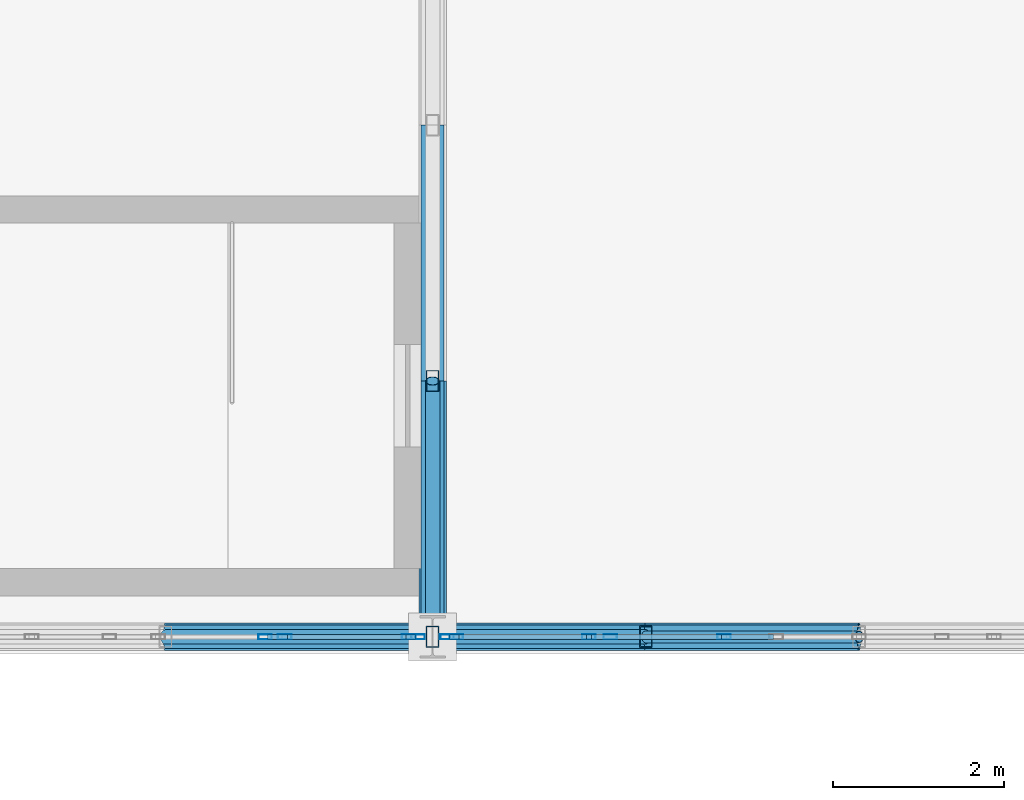
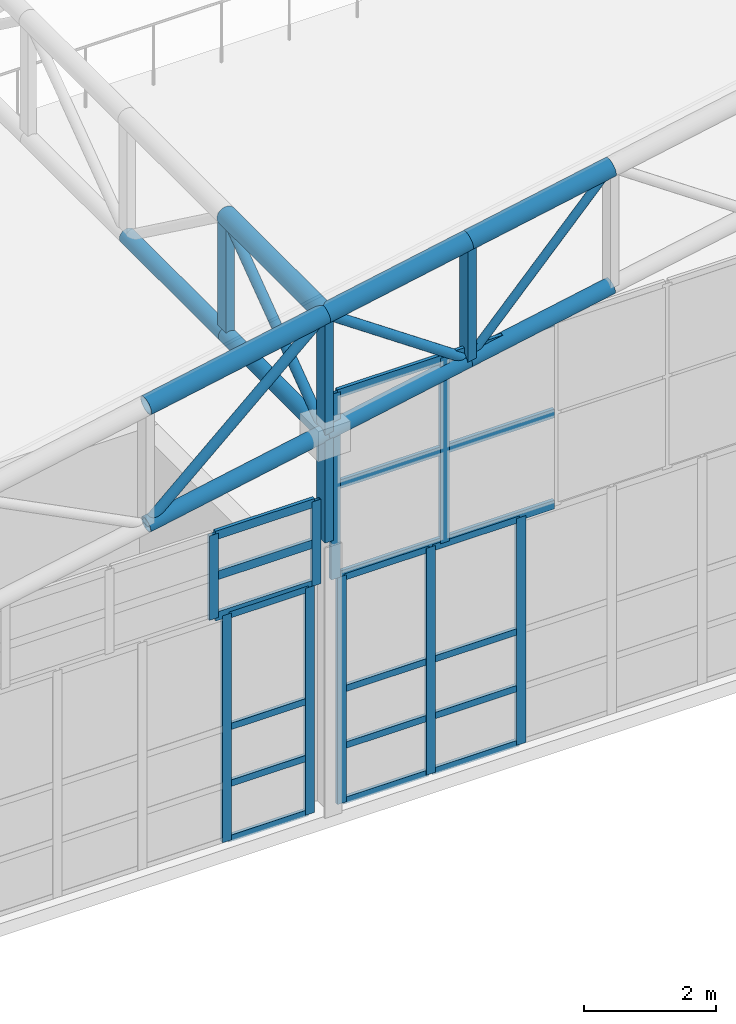
# One storey, part 44 of 112: 46 members, 4 elements without a shape of their own.
"""IFC4 building model written with IfcOpenShell, lengths in metres."""

from ifc_helpers import new_model, si_unit, direction, frame, origin, origin_2d, place, context, subcontext, project, spatial, hollow_rectangle, hollow_circle, extrude, material, material_profile, profile_set, type_object, element, aggregate, save


model = new_model("IFC4")

# Units and contexts
model_context = context("Model", 3, precision=1e-05, world=origin(), true_north=direction((0.0, 1.0)))
body_context = subcontext(model_context, "Body", "Model", "MODEL_VIEW")
ifc_project = project(units=[si_unit("LENGTHUNIT", "METRE"), si_unit("AREAUNIT", "SQUARE_METRE"), si_unit("VOLUMEUNIT", "CUBIC_METRE"), si_unit("PLANEANGLEUNIT", "RADIAN"), si_unit("MASSUNIT", "GRAM", prefix="KILO")], contexts=[model_context])

# Site, building, storey
site_placement = place(None, origin())
site = spatial("IfcSite", under=ifc_project, at=site_placement, CompositionType="ELEMENT")
building_placement = place(site_placement, origin())
building = spatial("IfcBuilding", under=site, at=building_placement, Name="Kaldris Quays Convention Centre", CompositionType="ELEMENT")
storey_placement = place(building_placement, frame((0.0, 0.0, 16.800048828125)))
storey = spatial("IfcBuildingStorey", under=building, at=storey_placement, Name="L03", CompositionType="ELEMENT", Elevation=16.800048828125)

# Curtain wall, members
ifc_material_1 = material(Name="Anodized aluminium AW-6060 and triple glazing", Category="aluminium")
curtain_wall_type_1 = type_object("IfcCurtainWallType", Name="UNITISED CURTAIN WALL CW01", PredefinedType="NOTDEFINED", material=ifc_material_1)
curtain_wall_1_placement = place(storey_placement, origin())
curtain_wall_1 = element("IfcCurtainWall", 1, at=curtain_wall_1_placement, inside=storey, type_object=curtain_wall_type_1, Name="L03 Unitised Curtain Wall CW01 36", PredefinedType="NOTDEFINED")
ifc_material_2 = material(Name="Anodized aluminium AW-6060", Category="aluminium")
ifc_material_profile_1 = material_profile(ifc_material_2, hollow_rectangle(XDim=0.06005859375, YDim=0.159912109375, WallThickness=0.00390625, at=origin_2d()), Name="RHS 160x60x4")
ifc_profile_set_1 = profile_set([ifc_material_profile_1], Name="Anodized aluminium AW-6060")
member_type_1 = type_object("IfcMemberType", Name="CURTAIN MULLION CWM1", PredefinedType="MULLION", material=ifc_profile_set_1)
member_1_placement = place(storey_placement, frame((172.2666015625, 56.0, 0.0), z_axis=(0.0, 0.0, 1.0), x_axis=(0.0, 1.0, 0.0)))
member_1 = element("IfcMember", 2, at=member_1_placement, type_object=member_type_1, Name="CW01 mullion 6", PredefinedType="MULLION", context=body_context, shape_type="SweptSolid", body=[
    extrude(hollow_rectangle(XDim=0.06005859375, YDim=0.159912109375, WallThickness=0.00390625, at=origin_2d()), origin(), (0.0, 0.0, 1.0), 4.199951171875),
])
member_2_placement = place(storey_placement, frame((173.719970703125, 56.0, 0.0), z_axis=(0.0, 0.0, 1.0), x_axis=(0.0, 1.0, 0.0)))
member_2 = element("IfcMember", 3, at=member_2_placement, type_object=member_type_1, Name="CW01 mullion 7", PredefinedType="MULLION", context=body_context, shape_type="SweptSolid", body=[
    extrude(hollow_rectangle(XDim=0.06005859375, YDim=0.159912109375, WallThickness=0.00390625, at=origin_2d()), origin(), (0.0, 0.0, 1.0), 4.199951171875),
])

curtain_wall_2_placement = place(storey_placement, origin())
curtain_wall_2 = element("IfcCurtainWall", 4, at=curtain_wall_2_placement, inside=storey, type_object=curtain_wall_type_1, Name="L03 Unitised Curtain Wall CW01 37", PredefinedType="NOTDEFINED")
member_3_placement = place(storey_placement, frame((174.280029296875, 56.0, 0.0), z_axis=(0.0, 0.0, 1.0), x_axis=(0.0, 1.0, 0.0)))
member_3 = element("IfcMember", 5, at=member_3_placement, type_object=member_type_1, Name="CW01 mullion 1", PredefinedType="MULLION", context=body_context, shape_type="SweptSolid", body=[
    extrude(hollow_rectangle(XDim=0.06005859375, YDim=0.159912109375, WallThickness=0.00390625, at=origin_2d()), origin(), (0.0, 0.0, 1.0), 4.199951171875),
])
member_4_placement = place(storey_placement, frame((175.833251953125, 56.0, 0.0), z_axis=(0.0, 0.0, 1.0), x_axis=(0.0, 1.0, 0.0)))
member_4 = element("IfcMember", 6, at=member_4_placement, type_object=member_type_1, Name="CW01 mullion 2", PredefinedType="MULLION", context=body_context, shape_type="SweptSolid", body=[
    extrude(hollow_rectangle(XDim=0.06005859375, YDim=0.159912109375, WallThickness=0.00390625, at=origin_2d()), origin(), (0.0, 0.0, 1.0), 4.199951171875),
])
member_5_placement = place(storey_placement, frame((177.416748046875, 56.0, 0.0), z_axis=(0.0, 0.0, 1.0), x_axis=(0.0, 1.0, 0.0)))
member_5 = element("IfcMember", 7, at=member_5_placement, type_object=member_type_1, Name="CW01 mullion 3", PredefinedType="MULLION", context=body_context, shape_type="SweptSolid", body=[
    extrude(hollow_rectangle(XDim=0.06005859375, YDim=0.159912109375, WallThickness=0.00390625, at=origin_2d()), origin(), (0.0, 0.0, 1.0), 4.199951171875),
])

curtain_wall_type_2 = type_object("IfcCurtainWallType", Name="UNITISED CURTAIN WALL CW05", PredefinedType="NOTDEFINED", material=ifc_material_1)
curtain_wall_3_placement = place(storey_placement, origin())
curtain_wall_3 = element("IfcCurtainWall", 8, at=curtain_wall_3_placement, inside=storey, type_object=curtain_wall_type_2, Name="L03 Unitised Curtain Wall CW05 255", PredefinedType="NOTDEFINED")
member_6_placement = place(storey_placement, frame((172.035888671875, 56.0, 4.195068359375), z_axis=(0.0, 0.0, 1.0), x_axis=(0.0, 1.0, 0.0)))
member_6 = element("IfcMember", 9, at=member_6_placement, type_object=member_type_1, Name="CW05 mullion 5", PredefinedType="MULLION", context=body_context, shape_type="SweptSolid", body=[
    extrude(hollow_rectangle(XDim=0.06005859375, YDim=0.159912109375, WallThickness=0.00390625, at=origin_2d()), origin(), (0.0, 0.0, 1.0), 1.561767578125),
])
member_7_placement = place(storey_placement, frame((173.830078125, 56.0, 4.195068359375), z_axis=(0.0, 0.0, 1.0), x_axis=(0.0, 1.0, 0.0)))
member_7 = element("IfcMember", 10, at=member_7_placement, type_object=member_type_1, Name="CW05 mullion 6", PredefinedType="MULLION", context=body_context, shape_type="SweptSolid", body=[
    extrude(hollow_rectangle(XDim=0.06005859375, YDim=0.159912109375, WallThickness=0.00390625, at=origin_2d()), origin(), (0.0, 0.0, 1.0), 1.561767578125),
])

curtain_wall_4_placement = place(storey_placement, origin())
curtain_wall_4 = element("IfcCurtainWall", 11, at=curtain_wall_4_placement, inside=storey, type_object=curtain_wall_type_2, Name="L03 Unitised Curtain Wall CW05 256", PredefinedType="NOTDEFINED")
member_8_placement = place(storey_placement, frame((174.169921875, 56.0, 4.195068359375), z_axis=(0.0, 0.0, 1.0), x_axis=(0.0, 1.0, 0.0)))
member_8 = element("IfcMember", 12, at=member_8_placement, type_object=member_type_1, Name="CW05 mullion 1", PredefinedType="MULLION", context=body_context, shape_type="SweptSolid", body=[
    extrude(hollow_rectangle(XDim=0.06005859375, YDim=0.159912109375, WallThickness=0.00390625, at=origin_2d()), origin(), (0.0, 0.0, 1.0), 3.432861328125),
])
member_9_placement = place(storey_placement, frame((176.083984375, 56.0, 4.195068359375), z_axis=(0.0, 0.0, 1.0), x_axis=(0.0, 1.0, 0.0)))
member_9 = element("IfcMember", 13, at=member_9_placement, type_object=member_type_1, Name="CW05 mullion 2", PredefinedType="MULLION", context=body_context, shape_type="SweptSolid", body=[
    extrude(hollow_rectangle(XDim=0.06005859375, YDim=0.159912109375, WallThickness=0.00390625, at=origin_2d()), origin(), (0.0, 0.0, 1.0), 3.432861328125),
])

# Member
ifc_material_profile_2 = material_profile(ifc_material_2, hollow_rectangle(XDim=0.06005859375, YDim=0.1201171875, WallThickness=0.00390625, at=origin_2d()), Name="RHS 120x60x4")
ifc_profile_set_2 = profile_set([ifc_material_profile_2], Name="Anodized aluminium AW-6060")
member_type_2 = type_object("IfcMemberType", Name="CURTAIN TRANSOM CWT1", PredefinedType="USERDEFINED", material=ifc_profile_set_2)
member_10_placement = place(storey_placement, frame((172.296630859375, 56.0, 0.030029296875), z_axis=(1.0, 0.0, 0.0), x_axis=(0.0, 1.0, 0.0)))
member_10 = element("IfcMember", 14, at=member_10_placement, type_object=member_type_2, Name="CW01 transom 6.1", ObjectType="TRANSOM", PredefinedType="USERDEFINED", context=body_context, shape_type="SweptSolid", body=[
    extrude(hollow_rectangle(XDim=0.06005859375, YDim=0.1201171875, WallThickness=0.00390625, at=origin_2d()), origin(), (0.0, 0.0, 1.0), 1.393310546875),
])

member_11_placement = place(storey_placement, frame((172.296630859375, 56.0, 1.050048828125), z_axis=(1.0, 0.0, 0.0), x_axis=(0.0, 1.0, 0.0)))
member_11 = element("IfcMember", 15, at=member_11_placement, type_object=member_type_2, Name="CW01 transom 6.2", ObjectType="TRANSOM", PredefinedType="USERDEFINED", context=body_context, shape_type="SweptSolid", body=[
    extrude(hollow_rectangle(XDim=0.06005859375, YDim=0.1201171875, WallThickness=0.00390625, at=origin_2d()), origin(), (0.0, 0.0, 1.0), 1.393310546875),
])

member_12_placement = place(storey_placement, frame((172.296630859375, 56.0, 2.099853515625), z_axis=(1.0, 0.0, 0.0), x_axis=(0.0, 1.0, 0.0)))
member_12 = element("IfcMember", 16, at=member_12_placement, type_object=member_type_2, Name="CW01 transom 6.3", ObjectType="TRANSOM", PredefinedType="USERDEFINED", context=body_context, shape_type="SweptSolid", body=[
    extrude(hollow_rectangle(XDim=0.06005859375, YDim=0.1201171875, WallThickness=0.00390625, at=origin_2d()), origin(), (0.0, 0.0, 1.0), 1.393310546875),
])

member_13_placement = place(storey_placement, frame((172.296630859375, 56.0, 4.169921875), z_axis=(1.0, 0.0, 0.0), x_axis=(0.0, 1.0, 0.0)))
member_13 = element("IfcMember", 17, at=member_13_placement, type_object=member_type_2, Name="CW01 transom 6.4", ObjectType="TRANSOM", PredefinedType="USERDEFINED", context=body_context, shape_type="SweptSolid", body=[
    extrude(hollow_rectangle(XDim=0.06005859375, YDim=0.1201171875, WallThickness=0.00390625, at=origin_2d()), origin(), (0.0, 0.0, 1.0), 1.393310546875),
])

aggregate(curtain_wall_1, [member_1, member_2, member_10, member_11, member_12, member_13])

member_14_placement = place(storey_placement, frame((174.31005859375, 56.0, 0.030029296875), z_axis=(1.0, 0.0, 0.0), x_axis=(0.0, 1.0, 0.0)))
member_14 = element("IfcMember", 18, at=member_14_placement, type_object=member_type_2, Name="CW01 transom 1.1", ObjectType="TRANSOM", PredefinedType="USERDEFINED", context=body_context, shape_type="SweptSolid", body=[
    extrude(hollow_rectangle(XDim=0.06005859375, YDim=0.1201171875, WallThickness=0.00390625, at=origin_2d()), origin(), (0.0, 0.0, 1.0), 1.4931640625),
])

member_15_placement = place(storey_placement, frame((174.31005859375, 56.0, 1.050048828125), z_axis=(1.0, 0.0, 0.0), x_axis=(0.0, 1.0, 0.0)))
member_15 = element("IfcMember", 19, at=member_15_placement, type_object=member_type_2, Name="CW01 transom 1.2", ObjectType="TRANSOM", PredefinedType="USERDEFINED", context=body_context, shape_type="SweptSolid", body=[
    extrude(hollow_rectangle(XDim=0.06005859375, YDim=0.1201171875, WallThickness=0.00390625, at=origin_2d()), origin(), (0.0, 0.0, 1.0), 1.4931640625),
])

member_16_placement = place(storey_placement, frame((174.31005859375, 56.0, 2.099853515625), z_axis=(1.0, 0.0, 0.0), x_axis=(0.0, 1.0, 0.0)))
member_16 = element("IfcMember", 20, at=member_16_placement, type_object=member_type_2, Name="CW01 transom 1.3", ObjectType="TRANSOM", PredefinedType="USERDEFINED", context=body_context, shape_type="SweptSolid", body=[
    extrude(hollow_rectangle(XDim=0.06005859375, YDim=0.1201171875, WallThickness=0.00390625, at=origin_2d()), origin(), (0.0, 0.0, 1.0), 1.4931640625),
])

member_17_placement = place(storey_placement, frame((174.31005859375, 56.0, 4.169921875), z_axis=(1.0, 0.0, 0.0), x_axis=(0.0, 1.0, 0.0)))
member_17 = element("IfcMember", 21, at=member_17_placement, type_object=member_type_2, Name="CW01 transom 1.4", ObjectType="TRANSOM", PredefinedType="USERDEFINED", context=body_context, shape_type="SweptSolid", body=[
    extrude(hollow_rectangle(XDim=0.06005859375, YDim=0.1201171875, WallThickness=0.00390625, at=origin_2d()), origin(), (0.0, 0.0, 1.0), 1.4931640625),
])

member_18_placement = place(storey_placement, frame((175.86328125, 56.0, 0.030029296875), z_axis=(1.0, 0.0, 0.0), x_axis=(0.0, 1.0, 0.0)))
member_18 = element("IfcMember", 22, at=member_18_placement, type_object=member_type_2, Name="CW01 transom 2.1", ObjectType="TRANSOM", PredefinedType="USERDEFINED", context=body_context, shape_type="SweptSolid", body=[
    extrude(hollow_rectangle(XDim=0.06005859375, YDim=0.1201171875, WallThickness=0.00390625, at=origin_2d()), origin(), (0.0, 0.0, 1.0), 1.5234375),
])

member_19_placement = place(storey_placement, frame((175.86328125, 56.0, 1.050048828125), z_axis=(1.0, 0.0, 0.0), x_axis=(0.0, 1.0, 0.0)))
member_19 = element("IfcMember", 23, at=member_19_placement, type_object=member_type_2, Name="CW01 transom 2.2", ObjectType="TRANSOM", PredefinedType="USERDEFINED", context=body_context, shape_type="SweptSolid", body=[
    extrude(hollow_rectangle(XDim=0.06005859375, YDim=0.1201171875, WallThickness=0.00390625, at=origin_2d()), origin(), (0.0, 0.0, 1.0), 1.5234375),
])

member_20_placement = place(storey_placement, frame((175.86328125, 56.0, 2.099853515625), z_axis=(1.0, 0.0, 0.0), x_axis=(0.0, 1.0, 0.0)))
member_20 = element("IfcMember", 24, at=member_20_placement, type_object=member_type_2, Name="CW01 transom 2.3", ObjectType="TRANSOM", PredefinedType="USERDEFINED", context=body_context, shape_type="SweptSolid", body=[
    extrude(hollow_rectangle(XDim=0.06005859375, YDim=0.1201171875, WallThickness=0.00390625, at=origin_2d()), origin(), (0.0, 0.0, 1.0), 1.5234375),
])

member_21_placement = place(storey_placement, frame((175.86328125, 56.0, 4.169921875), z_axis=(1.0, 0.0, 0.0), x_axis=(0.0, 1.0, 0.0)))
member_21 = element("IfcMember", 25, at=member_21_placement, type_object=member_type_2, Name="CW01 transom 2.4", ObjectType="TRANSOM", PredefinedType="USERDEFINED", context=body_context, shape_type="SweptSolid", body=[
    extrude(hollow_rectangle(XDim=0.06005859375, YDim=0.1201171875, WallThickness=0.00390625, at=origin_2d()), origin(), (0.0, 0.0, 1.0), 1.5234375),
])

aggregate(curtain_wall_2, [member_3, member_4, member_5, member_14, member_15, member_16, member_17, member_18, member_19, member_20, member_21])

ifc_material_profile_3 = material_profile(ifc_material_2, hollow_rectangle(XDim=0.06005859375, YDim=0.159912109375, WallThickness=0.00390625, at=origin_2d()), Name="RHS 160x60x4")
ifc_profile_set_3 = profile_set([ifc_material_profile_3], Name="Anodized aluminium AW-6060")
member_type_3 = type_object("IfcMemberType", Name="CURTAIN TRANSOM CWT2", PredefinedType="USERDEFINED", material=ifc_profile_set_3)
member_22_placement = place(storey_placement, frame((172.06591796875, 56.0, 4.224853515625), z_axis=(1.0, 0.0, 0.0), x_axis=(0.0, 1.0, 0.0)))
member_22 = element("IfcMember", 26, at=member_22_placement, type_object=member_type_3, Name="CW05 transom 5.1", ObjectType="TRANSOM", PredefinedType="USERDEFINED", context=body_context, shape_type="SweptSolid", body=[
    extrude(hollow_rectangle(XDim=0.06005859375, YDim=0.159912109375, WallThickness=0.00390625, at=origin_2d()), origin(), (0.0, 0.0, 1.0), 1.734130859375),
])

member_23_placement = place(storey_placement, frame((172.06591796875, 56.0, 4.975830078125), z_axis=(1.0, 0.0, 0.0), x_axis=(0.0, 1.0, 0.0)))
member_23 = element("IfcMember", 27, at=member_23_placement, type_object=member_type_3, Name="CW05 transom 5.2", ObjectType="TRANSOM", PredefinedType="USERDEFINED", context=body_context, shape_type="SweptSolid", body=[
    extrude(hollow_rectangle(XDim=0.06005859375, YDim=0.159912109375, WallThickness=0.00390625, at=origin_2d()), origin(), (0.0, 0.0, 1.0), 1.734130859375),
])

member_24_placement = place(storey_placement, frame((172.06591796875, 56.0, 5.72705078125), z_axis=(1.0, 0.0, 0.0), x_axis=(0.0, 1.0, 0.0)))
member_24 = element("IfcMember", 28, at=member_24_placement, type_object=member_type_3, Name="CW05 transom 5.3", ObjectType="TRANSOM", PredefinedType="USERDEFINED", context=body_context, shape_type="SweptSolid", body=[
    extrude(hollow_rectangle(XDim=0.06005859375, YDim=0.159912109375, WallThickness=0.00390625, at=origin_2d()), origin(), (0.0, 0.0, 1.0), 1.734130859375),
])

aggregate(curtain_wall_3, [member_6, member_7, member_22, member_23, member_24])

member_25_placement = place(storey_placement, frame((174.199951171875, 56.0, 4.224853515625), z_axis=(1.0, 0.0, 0.0), x_axis=(0.0, 1.0, 0.0)))
member_25 = element("IfcMember", 29, at=member_25_placement, type_object=member_type_3, Name="CW05 transom 1.1", ObjectType="TRANSOM", PredefinedType="USERDEFINED", context=body_context, shape_type="SweptSolid", body=[
    extrude(hollow_rectangle(XDim=0.06005859375, YDim=0.159912109375, WallThickness=0.00390625, at=origin_2d()), origin(), (0.0, 0.0, 1.0), 1.85400390625),
])

member_26_placement = place(storey_placement, frame((174.199951171875, 56.0, 5.911865234375), z_axis=(1.0, 0.0, 0.0), x_axis=(0.0, 1.0, 0.0)))
member_26 = element("IfcMember", 30, at=member_26_placement, type_object=member_type_3, Name="CW05 transom 1.2", ObjectType="TRANSOM", PredefinedType="USERDEFINED", context=body_context, shape_type="SweptSolid", body=[
    extrude(hollow_rectangle(XDim=0.06005859375, YDim=0.159912109375, WallThickness=0.00390625, at=origin_2d()), origin(), (0.0, 0.0, 1.0), 1.85400390625),
])

member_27_placement = place(storey_placement, frame((174.199951171875, 56.0, 7.597900390625), z_axis=(1.0, 0.0, 0.0), x_axis=(0.0, 1.0, 0.0)))
member_27 = element("IfcMember", 31, at=member_27_placement, type_object=member_type_3, Name="CW05 transom 1.3", ObjectType="TRANSOM", PredefinedType="USERDEFINED", context=body_context, shape_type="SweptSolid", body=[
    extrude(hollow_rectangle(XDim=0.06005859375, YDim=0.159912109375, WallThickness=0.00390625, at=origin_2d()), origin(), (0.0, 0.0, 1.0), 1.85400390625),
])

member_28_placement = place(storey_placement, frame((176.114013671875, 56.0, 4.224853515625), z_axis=(1.0, 0.0, 0.0), x_axis=(0.0, 1.0, 0.0)))
member_28 = element("IfcMember", 32, at=member_28_placement, type_object=member_type_3, Name="CW05 transom 2.1", ObjectType="TRANSOM", PredefinedType="USERDEFINED", context=body_context, shape_type="SweptSolid", body=[
    extrude(hollow_rectangle(XDim=0.06005859375, YDim=0.159912109375, WallThickness=0.00390625, at=origin_2d()), origin(), (0.0, 0.0, 1.0), 1.884033203125),
])

member_29_placement = place(storey_placement, frame((176.114013671875, 56.0, 5.911865234375), z_axis=(1.0, 0.0, 0.0), x_axis=(0.0, 1.0, 0.0)))
member_29 = element("IfcMember", 33, at=member_29_placement, type_object=member_type_3, Name="CW05 transom 2.2", ObjectType="TRANSOM", PredefinedType="USERDEFINED", context=body_context, shape_type="SweptSolid", body=[
    extrude(hollow_rectangle(XDim=0.06005859375, YDim=0.159912109375, WallThickness=0.00390625, at=origin_2d()), origin(), (0.0, 0.0, 1.0), 1.884033203125),
])

member_30_placement = place(storey_placement, frame((176.114013671875, 56.0, 7.597900390625), z_axis=(1.0, 0.0, 0.0), x_axis=(0.0, 1.0, 0.0)))
member_30 = element("IfcMember", 34, at=member_30_placement, type_object=member_type_3, Name="CW05 transom 2.3", ObjectType="TRANSOM", PredefinedType="USERDEFINED", context=body_context, shape_type="SweptSolid", body=[
    extrude(hollow_rectangle(XDim=0.06005859375, YDim=0.159912109375, WallThickness=0.00390625, at=origin_2d()), origin(), (0.0, 0.0, 1.0), 1.884033203125),
])

aggregate(curtain_wall_4, [member_8, member_9, member_25, member_26, member_27, member_28, member_29, member_30])

# Members
ifc_material_3 = material(Name="Steel S355J2H", Category="steel")
ifc_material_profile_4 = material_profile(ifc_material_3, hollow_circle(Radius=0.161865234375, WallThickness=0.01611328125, at=origin_2d()), Name="CHS 323.9x16")
ifc_profile_set_4 = profile_set([ifc_material_profile_4], Name="Steel S355J2H")
member_type_4 = type_object("IfcMemberType", Name="STRUCTURAL MEMBER SC03", PredefinedType="CHORD", material=ifc_profile_set_4)
member_31_placement = place(storey_placement, frame((170.86669921875, 56.0, 8.539306640625), z_axis=(0.981908086595, 0.0, 0.189358151342), x_axis=(0.0, 1.0, 0.0)))
element("IfcMember", 35, at=member_31_placement, inside=storey, type_object=member_type_4, Name="SF-V2 Top Chord X 3", PredefinedType="CHORD", context=body_context, shape_type="SweptSolid", body=[
    extrude(hollow_circle(Radius=0.161865234375, WallThickness=0.01611328125, at=origin_2d()), origin(), (0.0, 0.0, 1.0), 3.19091796875),
])
for number, where, z_axis, x_axis, name in (
    (36, (174.0, 56.0, 9.1435546875), (0.981903710383, 0.0, 0.189380842579), (0.0, 1.0, 0.0), "SF-V2 Top Chord X 4"),
    (37, (176.5, 56.0, 9.625732421875), (0.981885875429, 0.0, 0.189473290024), (0.0, 1.0, 0.0), "SF-V2 Top Chord X 5"),
):
    element("IfcMember", number, at=place(storey_placement, frame(where, z_axis=z_axis, x_axis=x_axis)), inside=storey, type_object=member_type_4, Name=name, PredefinedType="CHORD", context=body_context, shape_type="SweptSolid", body=[
        extrude(hollow_circle(Radius=0.161865234375, WallThickness=0.01611328125, at=origin_2d()), origin(), (0.0, 0.0, 1.0), 2.546142578125),
    ])
member_32_placement = place(storey_placement, frame((174.0, 56.0, 9.1435546875), z_axis=(0.0, 1.0, 0.0), x_axis=(-1.0, 0.0, 0.0)))
element("IfcMember", 38, at=member_32_placement, inside=storey, type_object=member_type_4, Name="SF-V2 Top Chord Y 92", PredefinedType="CHORD", context=body_context, shape_type="SweptSolid", body=[
    extrude(hollow_circle(Radius=0.161865234375, WallThickness=0.01611328125, at=origin_2d()), origin(), (0.0, 0.0, 1.0), 3.0),
])
ifc_material_profile_5 = material_profile(ifc_material_3, hollow_circle(Radius=0.136474609375, WallThickness=0.012451171875, at=origin_2d()), Name="CHS 273x12.5")
ifc_profile_set_5 = profile_set([ifc_material_profile_5], Name="Steel S355J2H")
member_type_5 = type_object("IfcMemberType", Name="STRUCTURAL MEMBER SC04", PredefinedType="CHORD", material=ifc_profile_set_5)
member_33_placement = place(storey_placement, frame((170.86669921875, 56.0, 6.33935546875), z_axis=(0.981908086595, 0.0, 0.189358151342), x_axis=(0.0, 1.0, 0.0)))
element("IfcMember", 39, at=member_33_placement, inside=storey, type_object=member_type_5, Name="SF-V2 Bottom Chord X 3", PredefinedType="CHORD", context=body_context, shape_type="SweptSolid", body=[
    extrude(hollow_circle(Radius=0.136474609375, WallThickness=0.012451171875, at=origin_2d()), origin(), (0.0, 0.0, 1.0), 3.19091796875),
])
for number, where, z_axis, x_axis, name in (
    (40, (174.0, 56.0, 6.943603515625), (0.981903710383, 0.0, 0.189380842579), (0.0, 1.0, 0.0), "SF-V2 Bottom Chord X 4"),
    (41, (176.5, 56.0, 7.42578125), (0.981885875429, 0.0, 0.189473290024), (0.0, 1.0, 0.0), "SF-V2 Bottom Chord X 5"),
):
    element("IfcMember", number, at=place(storey_placement, frame(where, z_axis=z_axis, x_axis=x_axis)), inside=storey, type_object=member_type_5, Name=name, PredefinedType="CHORD", context=body_context, shape_type="SweptSolid", body=[
        extrude(hollow_circle(Radius=0.136474609375, WallThickness=0.012451171875, at=origin_2d()), origin(), (0.0, 0.0, 1.0), 2.546142578125),
    ])
for number, where, z_axis, x_axis, name in (
    (42, (174.0, 56.0, 6.943603515625), (0.0, 1.0, 0.0), (-1.0, 0.0, 0.0), "SF-V2 Bottom Chord Y 92"),
    (43, (174.0, 59.0, 6.943603515625), (0.0, 1.0, 0.0), (-1.0, 0.0, 0.0), "SF-V2 Bottom Chord Y 93"),
):
    element("IfcMember", number, at=place(storey_placement, frame(where, z_axis=z_axis, x_axis=x_axis)), inside=storey, type_object=member_type_5, Name=name, PredefinedType="CHORD", context=body_context, shape_type="SweptSolid", body=[
        extrude(hollow_circle(Radius=0.136474609375, WallThickness=0.012451171875, at=origin_2d()), origin(), (0.0, 0.0, 1.0), 3.0),
    ])
ifc_material_profile_6 = material_profile(ifc_material_3, hollow_circle(Radius=0.084228515625, WallThickness=0.008056640625, at=origin_2d()), Name="CHS 168.3x8")
ifc_profile_set_6 = profile_set([ifc_material_profile_6], Name="Steel S355J2H")
member_type_6 = type_object("IfcMemberType", Name="STRUCTURAL MEMBER SWB2", PredefinedType="BRACE", material=ifc_profile_set_6)
member_34_placement = place(storey_placement, frame((170.86669921875, 56.0, 6.33935546875), z_axis=(0.745156270272, 0.0, 0.666889895616), x_axis=(0.0, 1.0, 0.0)))
element("IfcMember", 44, at=member_34_placement, inside=storey, type_object=member_type_6, Name="SF-V2 Web Diagonal X 3", PredefinedType="BRACE", context=body_context, shape_type="SweptSolid", body=[
    extrude(hollow_circle(Radius=0.084228515625, WallThickness=0.008056640625, at=origin_2d()), origin(), (0.0, 0.0, 1.0), 4.204833984375),
])
member_35_placement = place(storey_placement, frame((176.5, 56.0, 7.42578125), z_axis=(-0.8241921955, 0.0, 0.56631018433), x_axis=(0.0, -1.0, 0.0)))
element("IfcMember", 45, at=member_35_placement, inside=storey, type_object=member_type_6, Name="SF-V2 Web Diagonal X 4", PredefinedType="BRACE", context=body_context, shape_type="SweptSolid", body=[
    extrude(hollow_circle(Radius=0.084228515625, WallThickness=0.008056640625, at=origin_2d()), origin(), (0.0, 0.0, 1.0), 3.033203125),
])
member_36_placement = place(storey_placement, frame((174.0, 56.0, 6.943603515625), z_axis=(0.0, 0.80641125493, 0.591355128432), x_axis=(-1.0, 0.0, 0.0)))
element("IfcMember", 46, at=member_36_placement, inside=storey, type_object=member_type_6, Name="SF-V2 Web Diagonal Y 92", PredefinedType="BRACE", context=body_context, shape_type="SweptSolid", body=[
    extrude(hollow_circle(Radius=0.084228515625, WallThickness=0.008056640625, at=origin_2d()), origin(), (0.0, 0.0, 1.0), 3.72021484375),
])
ifc_material_profile_7 = material_profile(ifc_material_3, hollow_circle(Radius=0.06982421875, WallThickness=0.00634765625, at=origin_2d()), Name="CHS 139.7x6.3")
ifc_profile_set_7 = profile_set([ifc_material_profile_7], Name="Steel S355J2H")
member_type_7 = type_object("IfcMemberType", Name="STRUCTURAL MEMBER SWB4", PredefinedType="BRACE", material=ifc_profile_set_7)
member_37_placement = place(storey_placement, frame((176.5, 56.0, 7.42578125), z_axis=(0.681800921589, 0.0, 0.731537766162), x_axis=(0.0, 1.0, 0.0)))
element("IfcMember", 47, at=member_37_placement, inside=storey, type_object=member_type_7, Name="SF-V2 Web Diagonal X 5", PredefinedType="BRACE", context=body_context, shape_type="SweptSolid", body=[
    extrude(hollow_circle(Radius=0.06982421875, WallThickness=0.00634765625, at=origin_2d()), origin(), (0.0, 0.0, 1.0), 3.666748046875),
])
ifc_material_profile_8 = material_profile(ifc_material_3, hollow_rectangle(XDim=0.14990234375, YDim=0.25, WallThickness=0.010009765625, at=origin_2d()), Name="RHS 250x150x10")
ifc_profile_set_8 = profile_set([ifc_material_profile_8], Name="Steel S355J2H")
member_type_8 = type_object("IfcMemberType", Name="STRUCTURAL MEMBER TTV1", PredefinedType="POST", material=ifc_profile_set_8)
member_38_placement = place(storey_placement, frame((174.0, 56.0, 4.993896484375), z_axis=(0.0, 0.0, 1.0), x_axis=(1.0, 0.0, 0.0)))
element("IfcMember", 48, at=member_38_placement, inside=storey, type_object=member_type_8, Name="SF-V2 Space-Frame Post 28", PredefinedType="POST", context=body_context, shape_type="SweptSolid", body=[
    extrude(hollow_rectangle(XDim=0.14990234375, YDim=0.25, WallThickness=0.010009765625, at=origin_2d()), origin(), (0.0, 0.0, 1.0), 4.149658203125),
])
for number, where, z_axis, x_axis, name in (
    (49, (174.0, 59.0, 6.943603515625), (0.0, 0.0, 1.0), (1.0, 0.0, 0.0), "SF-V2 Space-Frame Post 29"),
    (50, (176.5, 56.0, 7.42578125), (0.0, 0.0, 1.0), (1.0, 0.0, 0.0), "SF-V2 Space-Frame Post 45"),
):
    element("IfcMember", number, at=place(storey_placement, frame(where, z_axis=z_axis, x_axis=x_axis)), inside=storey, type_object=member_type_8, Name=name, PredefinedType="POST", context=body_context, shape_type="SweptSolid", body=[
        extrude(hollow_rectangle(XDim=0.14990234375, YDim=0.25, WallThickness=0.010009765625, at=origin_2d()), origin(), (0.0, 0.0, 1.0), 2.199951171875),
    ])

save(model, "model.ifc")
